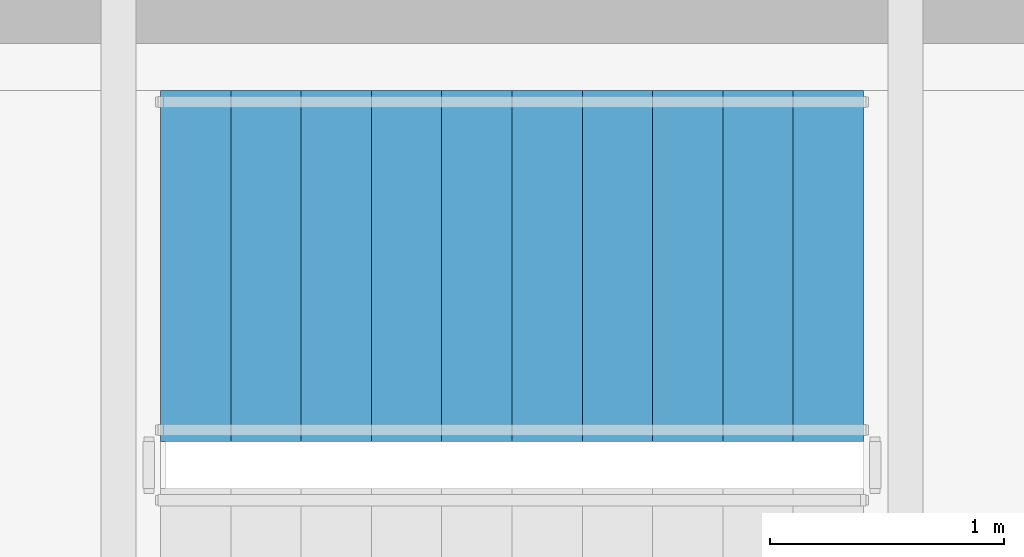
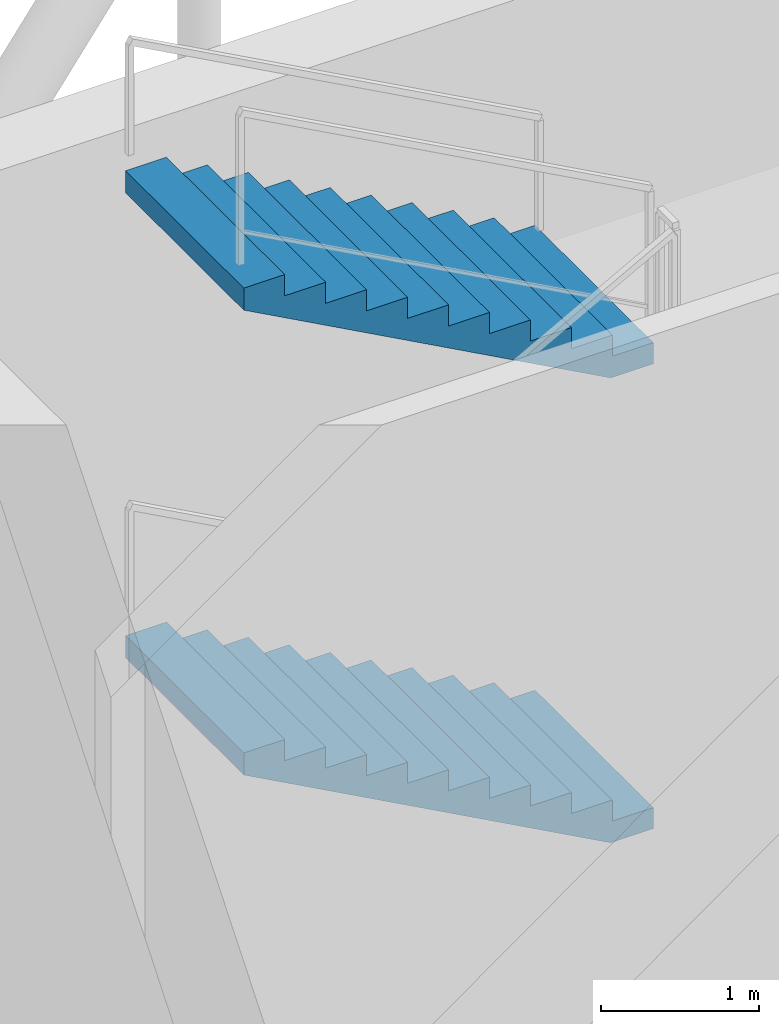
# One storey, part 11 of 20: 2 stair flights, 1 element without a shape of its own.
"""IFC4 building model written with IfcOpenShell, lengths in metres."""

from ifc_helpers import new_model, si_unit, direction, frame, origin, place, context, subcontext, project, spatial, polyline, outline, extrude, material, type_object, element, aggregate, save


model = new_model("IFC4")

# Units and contexts
model_context = context("Model", 3, precision=1e-05, world=origin(), true_north=direction((0.0, 1.0)))
body_context = subcontext(model_context, "Body", "Model", "MODEL_VIEW")
ifc_project = project(units=[si_unit("LENGTHUNIT", "METRE"), si_unit("AREAUNIT", "SQUARE_METRE"), si_unit("VOLUMEUNIT", "CUBIC_METRE"), si_unit("PLANEANGLEUNIT", "RADIAN"), si_unit("MASSUNIT", "GRAM", prefix="KILO")], contexts=[model_context])

# Site, building, storey
site_placement = place(None, origin())
site = spatial("IfcSite", under=ifc_project, at=site_placement, CompositionType="ELEMENT")
building_placement = place(site_placement, origin())
building = spatial("IfcBuilding", under=site, at=building_placement, Name="Svetorya Sky Lyceum", CompositionType="ELEMENT")
storey_placement = place(building_placement, frame((0.0, 0.0, 195.89990234375)))
storey = spatial("IfcBuildingStorey", under=building, at=storey_placement, Name="L49", CompositionType="ELEMENT", Elevation=195.89990234375)

# Stair, stair flights
ifc_material = material(Name="Concrete C40/50", Category="concrete")
stair_type = type_object("IfcStairType", Name="STR-ST-N", PredefinedType="HALF_TURN_STAIR", material=ifc_material)
stair_placement = place(storey_placement, origin())
stair = element("IfcStair", 1, at=stair_placement, inside=storey, type_object=stair_type, Name="L49 North Core Smoke-Free Exit Stair N3", PredefinedType="HALF_TURN_STAIR")
stair_flight_type = type_object("IfcStairFlightType", Name="SFL-ST-N", PredefinedType="STRAIGHT", material=ifc_material)
stair_flight_1_placement = place(storey_placement, frame((30.699951171875, 44.60009765625, 1.800048828125), z_axis=(0.0, 0.0, 1.0), x_axis=(-1.0, 0.0, 0.0)))
stair_flight_1 = element("IfcStairFlight", 2, at=stair_flight_1_placement, type_object=stair_flight_type, Name="ST-N flight 2", NumberOfRisers=11, NumberOfTreads=10, PredefinedType="STRAIGHT", RiserHeight=0.163636364, TreadLength=0.3, context=body_context, shape_type="SweptSolid", body=[
    extrude(outline(polyline([(0.0, 0.0), (0.0, 0.16357421875), (0.300048828125, 0.16357421875), (0.300048828125, 0.327392578125), (0.60009765625, 0.327392578125), (0.60009765625, 0.490966796875), (0.89990234375, 0.490966796875), (0.89990234375, 0.654541015625), (1.199951171875, 0.654541015625), (1.199951171875, 0.818115234375), (1.5, 0.818115234375), (1.5, 0.98193359375), (1.800048828125, 0.98193359375), (1.800048828125, 1.1455078125), (2.10009765625, 1.1455078125), (2.10009765625, 1.30908203125), (2.39990234375, 1.30908203125), (2.39990234375, 1.47265625), (2.699951171875, 1.47265625), (2.699951171875, 1.636474609375), (3.0, 1.636474609375), (3.0, 1.800048828125), (3.0, 1.465576171875), (0.31298828125, 0.0), (0.0, 0.0)])), frame((0.0, 0.75, 0.0), z_axis=(0.0, -1.0, 0.0), x_axis=(1.0, 0.0, 0.0)), (0.0, 0.0, 1.0), 1.5),
])
stair_flight_2_placement = place(storey_placement, frame((30.699951171875, 44.60009765625, 5.400146484375), z_axis=(0.0, 0.0, 1.0), x_axis=(-1.0, 0.0, 0.0)))
stair_flight_2 = element("IfcStairFlight", 3, at=stair_flight_2_placement, type_object=stair_flight_type, Name="ST-N flight 4", NumberOfRisers=11, NumberOfTreads=10, PredefinedType="STRAIGHT", RiserHeight=0.163636364, TreadLength=0.3, context=body_context, shape_type="SweptSolid", body=[
    extrude(outline(polyline([(0.0, 0.0), (0.0, 0.16357421875), (0.300048828125, 0.16357421875), (0.300048828125, 0.327392578125), (0.60009765625, 0.327392578125), (0.60009765625, 0.490966796875), (0.89990234375, 0.490966796875), (0.89990234375, 0.654541015625), (1.199951171875, 0.654541015625), (1.199951171875, 0.818115234375), (1.5, 0.818115234375), (1.5, 0.98193359375), (1.800048828125, 0.98193359375), (1.800048828125, 1.1455078125), (2.10009765625, 1.1455078125), (2.10009765625, 1.30908203125), (2.39990234375, 1.30908203125), (2.39990234375, 1.47265625), (2.699951171875, 1.47265625), (2.699951171875, 1.636474609375), (3.0, 1.636474609375), (3.0, 1.800048828125), (3.0, 1.465576171875), (0.31298828125, 0.0), (0.0, 0.0)])), frame((0.0, 0.75, 0.0), z_axis=(0.0, -1.0, 0.0), x_axis=(1.0, 0.0, 0.0)), (0.0, 0.0, 1.0), 1.5),
])
aggregate(stair, [stair_flight_1, stair_flight_2])

save(model, "model.ifc")
